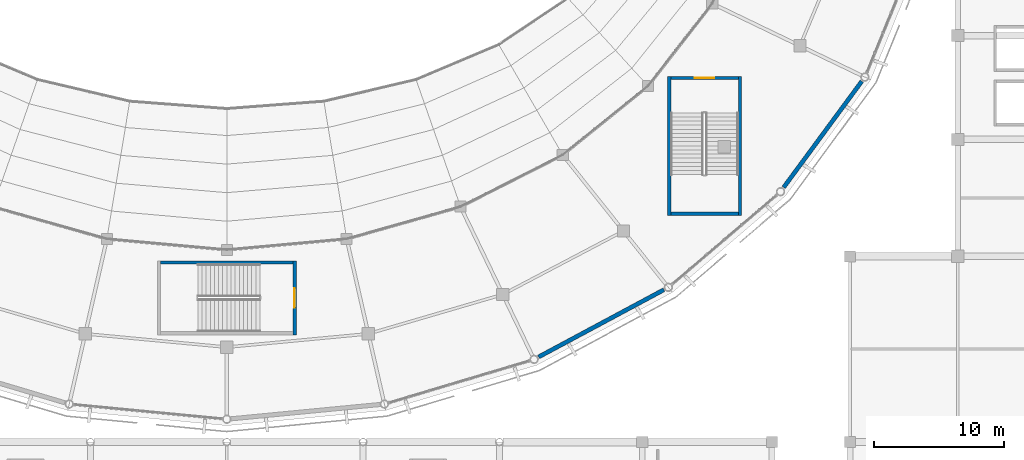
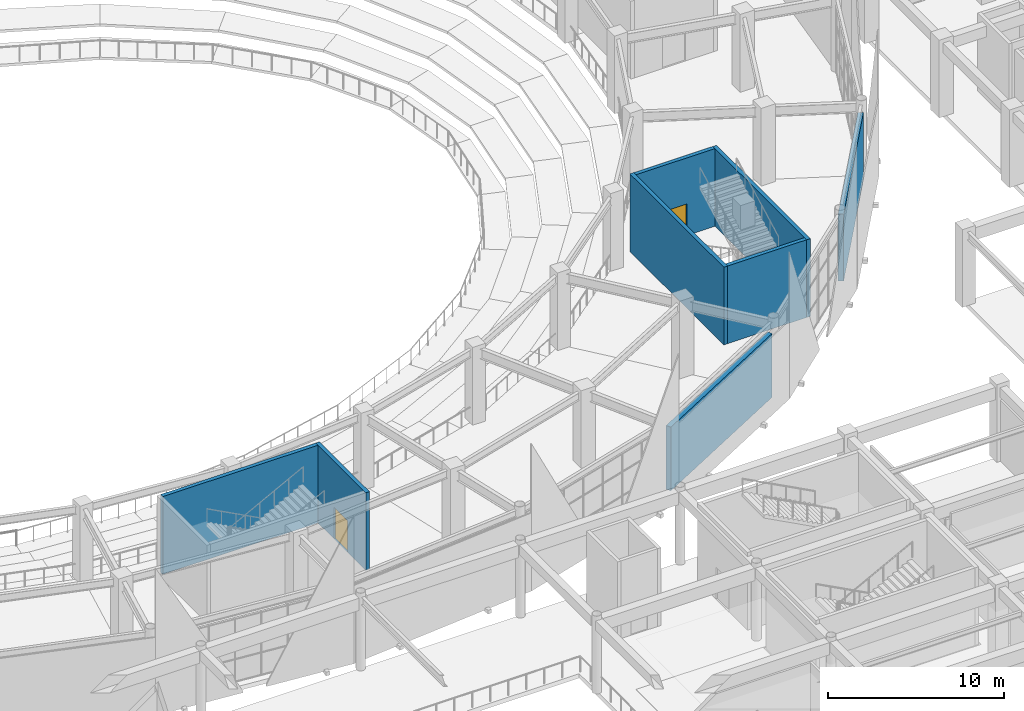
# One storey, part 76 of 120: 8 walls, 2 doors, 2 openings.
"""IFC4 building model written with IfcOpenShell, lengths in metres."""

from ifc_helpers import new_model, si_unit, direction, frame, frame_2d, origin, place, context, subcontext, project, spatial, rectangle, extrude, material, layer, layer_set, type_object, element, fill, save


model = new_model("IFC4")

# Units and contexts
model_context = context("Model", 3, precision=1e-05, world=origin(), true_north=direction((0.0, 1.0)))
body_context = subcontext(model_context, "Body", "Model", "MODEL_VIEW")
ifc_project = project(units=[si_unit("LENGTHUNIT", "METRE"), si_unit("AREAUNIT", "SQUARE_METRE"), si_unit("VOLUMEUNIT", "CUBIC_METRE"), si_unit("PLANEANGLEUNIT", "RADIAN"), si_unit("MASSUNIT", "GRAM", prefix="KILO")], contexts=[model_context])

# Site, building, storey
site_placement = place(None, origin())
site = spatial("IfcSite", under=ifc_project, at=site_placement, CompositionType="ELEMENT")
building_placement = place(site_placement, origin())
building = spatial("IfcBuilding", under=site, at=building_placement, Name="Cuetzalor Civic Arena", CompositionType="ELEMENT")
storey_placement = place(building_placement, frame((0.0, 0.0, 6.0)))
storey = spatial("IfcBuildingStorey", under=building, at=storey_placement, Name="L01", CompositionType="ELEMENT", Elevation=6.0)

# Wall
ifc_material_1 = material(Name="Concrete C40/50", Category="concrete")
ifc_layer_1 = layer(ifc_material_1, 0.25)
ifc_layer_set_1 = layer_set([ifc_layer_1], Name="Concrete C40/50")
wall_type_1 = type_object("IfcWallType", Name="ConcreteCoreShearWall_250", PredefinedType="SHEAR", material=ifc_layer_set_1)
wall_1_placement = place(storey_placement, frame((-5.10009765625, -34.47509765625, 0.0), z_axis=(0.0, 0.0, 1.0), x_axis=(1.0, 0.0, 0.0)))
element("IfcWall", 1, at=wall_1_placement, inside=storey, type_object=wall_type_1, Name="Stair Core Shear Wall ST-07-L01-N", PredefinedType="SHEAR", context=body_context, shape_type="SweptSolid", body=[
    extrude(rectangle(XDim=10.2001953125, YDim=0.25, at=frame_2d((5.10009765625, 0.0))), origin(), (0.0, 0.0, 1.0), 5.39990234375),
])

# Wall, opening, door
wall_2_placement = place(storey_placement, frame((5.22509765625, -34.35009765625, 0.0), z_axis=(0.0, 0.0, 1.0), x_axis=(0.0, -1.0, 0.0)))
wall_2 = element("IfcWall", 2, at=wall_2_placement, inside=storey, type_object=wall_type_1, Name="Stair Core Shear Wall ST-07-L01-E", PredefinedType="SHEAR", context=body_context, shape_type="SweptSolid", body=[
    extrude(rectangle(XDim=5.699951171875, YDim=0.25, at=frame_2d((2.85009765625, 0.0))), origin(), (0.0, 0.0, 1.0), 5.39990234375),
])
opening_1_placement = place(wall_2_placement, frame((2.10009765625, 0.0, 0.0)))
opening_1 = element("IfcOpeningElement", 3, at=opening_1_placement, cuts=wall_2, Name="Opening FD-03", PredefinedType="OPENING", context=body_context, shape_type="SweptSolid", body=[
    extrude(rectangle(XDim=1.5, YDim=2.199951171875, at=frame_2d((0.75, 1.10009765625))), frame((0.0, 0.135009765625, 0.0), z_axis=(0.0, -1.0, 0.0), x_axis=(1.0, 0.0, 0.0)), (0.0, 0.0, 1.0), 0.27001953125),
])
ifc_material_2 = material(Name="Fire-rated steel stair exit double door", Category="steel")
door_type = type_object("IfcDoorType", Name="StairFireDoubleDoor_1500x2200", OperationType="DOUBLE_DOOR_SINGLE_SWING", PredefinedType="DOOR", material=ifc_material_2)
door_1_placement = place(opening_1_placement, origin())
door_1 = element("IfcDoor", 4, at=door_1_placement, inside=storey, type_object=door_type, Name="Fire Stair Door ST-07 L01", OperationType="DOUBLE_DOOR_SINGLE_SWING", OverallHeight=2.199951171875, OverallWidth=1.5, PredefinedType="DOOR", context=body_context, shape_type="SweptSolid", body=[
    extrude(rectangle(XDim=1.5, YDim=2.199951171875, at=frame_2d((0.75, 1.10009765625))), frame((0.0, 0.02490234375, 0.0), z_axis=(0.0, -1.0, 0.0), x_axis=(1.0, 0.0, 0.0)), (0.0, 0.0, 1.0), 0.050048828125),
])
fill(opening_1, door_1)

# Wall
wall_3_placement = place(storey_placement, frame((34.074951171875, -30.85009765625, 0.0), z_axis=(0.0, 0.0, 1.0), x_axis=(0.0, 1.0, 0.0)))
element("IfcWall", 5, at=wall_3_placement, inside=storey, type_object=wall_type_1, Name="Stair Core Shear Wall ST-08-L01-W", PredefinedType="SHEAR", context=body_context, shape_type="SweptSolid", body=[
    extrude(rectangle(XDim=10.7001953125, YDim=0.25, at=frame_2d((5.35009765625, 0.0))), origin(), (0.0, 0.0, 1.0), 5.39990234375),
])

# Wall, opening, door
wall_4_placement = place(storey_placement, frame((34.199951171875, -20.27490234375, 0.0), z_axis=(0.0, 0.0, 1.0), x_axis=(1.0, 0.0, 0.0)))
wall_4 = element("IfcWall", 6, at=wall_4_placement, inside=storey, type_object=wall_type_1, Name="Stair Core Shear Wall ST-08-L01-N", PredefinedType="SHEAR", context=body_context, shape_type="SweptSolid", body=[
    extrude(rectangle(XDim=5.199951171875, YDim=0.25, at=frame_2d((2.60009765625, 0.0))), origin(), (0.0, 0.0, 1.0), 5.39990234375),
])
opening_2_placement = place(wall_4_placement, frame((1.85009765625, 0.0, 0.0)))
opening_2 = element("IfcOpeningElement", 7, at=opening_2_placement, cuts=wall_4, Name="Opening FD-03", PredefinedType="OPENING", context=body_context, shape_type="SweptSolid", body=[
    extrude(rectangle(XDim=1.5, YDim=2.199951171875, at=frame_2d((0.75, 1.10009765625))), frame((0.0, 0.135009765625, 0.0), z_axis=(0.0, -1.0, 0.0), x_axis=(1.0, 0.0, 0.0)), (0.0, 0.0, 1.0), 0.27001953125),
])
door_2_placement = place(opening_2_placement, origin())
door_2 = element("IfcDoor", 8, at=door_2_placement, inside=storey, type_object=door_type, Name="Fire Stair Door ST-08 L01", OperationType="DOUBLE_DOOR_SINGLE_SWING", OverallHeight=2.199951171875, OverallWidth=1.5, PredefinedType="DOOR", context=body_context, shape_type="SweptSolid", body=[
    extrude(rectangle(XDim=1.5, YDim=2.199951171875, at=frame_2d((0.75, 1.10009765625))), frame((0.0, 0.02490234375, 0.0), z_axis=(0.0, -1.0, 0.0), x_axis=(1.0, 0.0, 0.0)), (0.0, 0.0, 1.0), 0.050048828125),
])
fill(opening_2, door_2)

# Walls
wall_5_placement = place(storey_placement, frame((39.52490234375, -20.14990234375, 0.0), z_axis=(0.0, 0.0, 1.0), x_axis=(0.0, -1.0, 0.0)))
element("IfcWall", 9, at=wall_5_placement, inside=storey, type_object=wall_type_1, Name="Stair Core Shear Wall ST-08-L01-E", PredefinedType="SHEAR", context=body_context, shape_type="SweptSolid", body=[
    extrude(rectangle(XDim=10.7001953125, YDim=0.25, at=frame_2d((5.35009765625, 0.0))), origin(), (0.0, 0.0, 1.0), 5.39990234375),
])
wall_6_placement = place(storey_placement, frame((39.39990234375, -30.72509765625, 0.0), z_axis=(0.0, 0.0, 1.0), x_axis=(-1.0, 0.0, 0.0)))
element("IfcWall", 10, at=wall_6_placement, inside=storey, type_object=wall_type_1, Name="Stair Core Shear Wall ST-08-L01-S", PredefinedType="SHEAR", context=body_context, shape_type="SweptSolid", body=[
    extrude(rectangle(XDim=5.199951171875, YDim=0.25, at=frame_2d((2.60009765625, 0.0))), origin(), (0.0, 0.0, 1.0), 5.39990234375),
])
ifc_material_3 = material(Name="Precast concrete C40/50 insulated cladding", Category="concrete")
ifc_layer_2 = layer(ifc_material_3, 0.320068359375)
ifc_layer_set_2 = layer_set([ifc_layer_2], Name="Precast concrete C40/50 insulated cladding")
wall_type_2 = type_object("IfcWallType", Name="InsulatedPrecastWall_320", PredefinedType="SOLIDWALL", material=ifc_layer_set_2)
wall_7_placement = place(storey_placement, frame((33.663330078125, -36.580810546875, 0.0), z_axis=(0.0, 0.0, 1.0), x_axis=(-0.881305503949, -0.472546938102, 0.0)))
element("IfcWall", 11, at=wall_7_placement, inside=storey, type_object=wall_type_2, Name="Drum Acoustic Backing Wall L01-022", PredefinedType="SOLIDWALL", context=body_context, shape_type="SweptSolid", body=[
    extrude(rectangle(XDim=10.9462890625, YDim=0.320068359375, at=frame_2d((5.47314453125, 0.0))), origin(), (0.0, 0.0, 1.0), 4.431884765625),
])
wall_8_placement = place(storey_placement, frame((48.90576171875, -20.526123046875, 0.0), z_axis=(0.0, 0.0, 1.0), x_axis=(-0.592929724135, -0.805254209698, 0.0)))
element("IfcWall", 12, at=wall_8_placement, inside=storey, type_object=wall_type_2, Name="Drum Acoustic Backing Wall L01-023", PredefinedType="SOLIDWALL", context=body_context, shape_type="SweptSolid", body=[
    extrude(rectangle(XDim=10.14404296875, YDim=0.320068359375, at=frame_2d((5.072021484375, 0.0))), origin(), (0.0, 0.0, 1.0), 4.653076171875),
])

save(model, "model.ifc")
